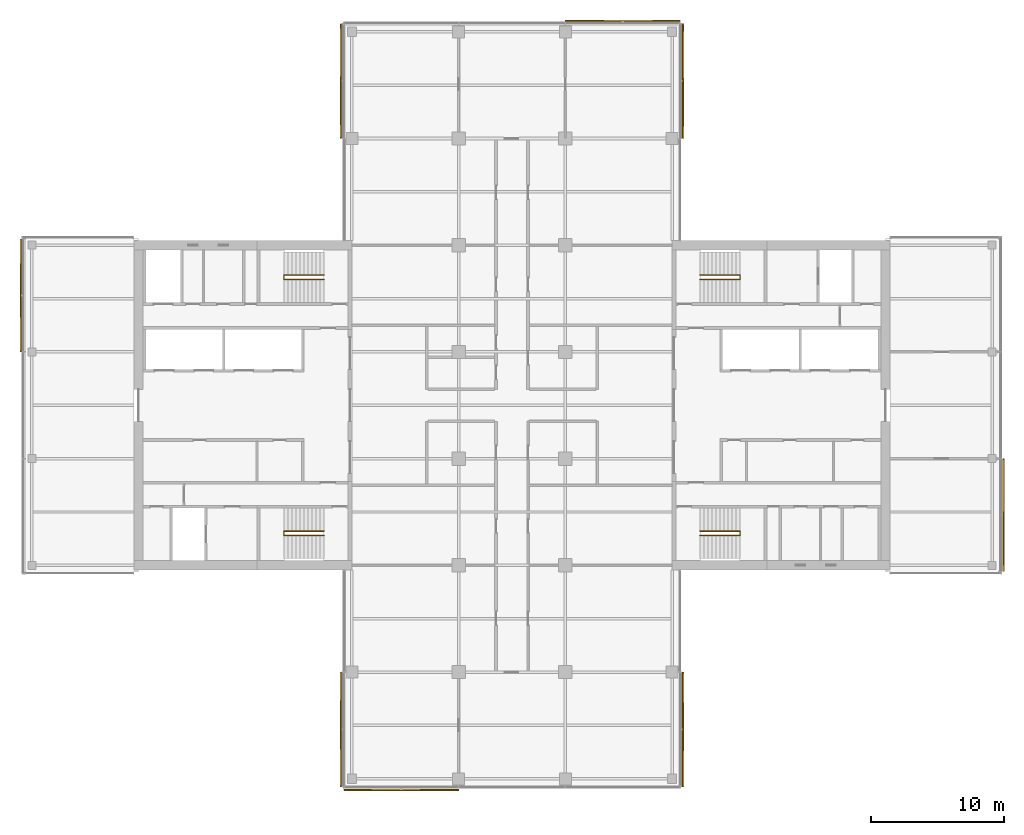
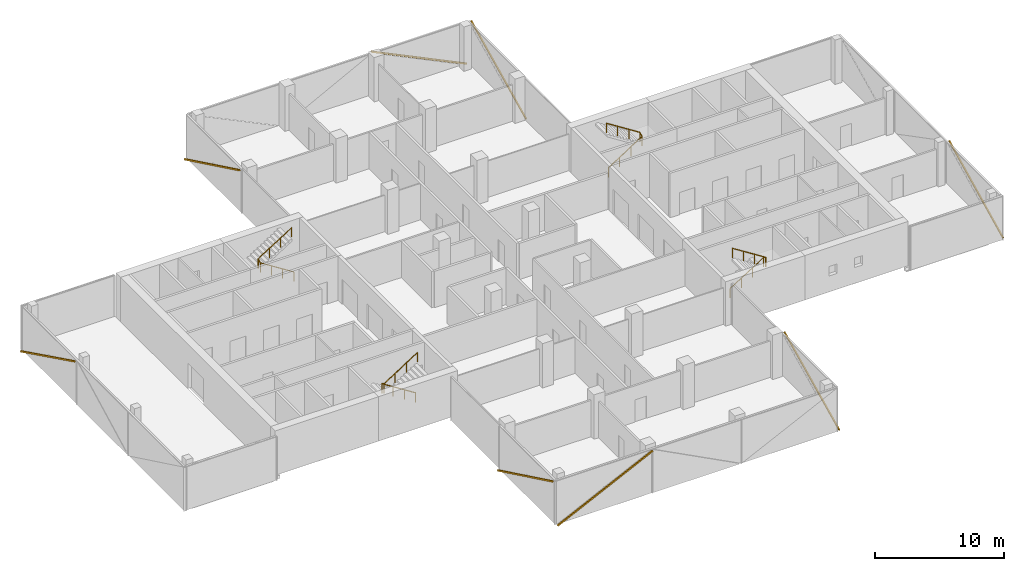
# One storey, part 22 of 22: 8 shading devices, 4 railings, 8 elements without a shape of their own.
"""IFC4 building model written with IfcOpenShell, lengths in metres."""

import ifcopenshell
import ifcopenshell.guid

model = None  # the IFC model being written
_history = None  # IfcOwnerHistory: only IFC2X3 demands one
_inside = {}  # id of a spatial element -> (the spatial element, [elements in it])
_under = {}  # id of a project, library or spatial element -> (it, [spatial elements below it])
_declared = {}  # id of a project -> (the project, [libraries it declares])
_typed = {}  # id of a type object -> (the type object, [elements of that type])
_made_of = {}  # id of a material, layer set ... -> (it, [elements and type objects made of it])


def new_model(schema):
    """Start an empty IFC model of exactly this schema.

    Asked for "IFC4X3", IfcOpenShell would pick the latest addendum, in which some entities
    have other attributes; the version numbers below select the first issue.
    IFC2X3 requires an IfcOwnerHistory on every rooted entity: one is made here for all.
    """
    global model, _history
    if schema == "IFC4X3":
        model = ifcopenshell.file(schema_version=(4, 3, 0, 0))
    else:
        model = ifcopenshell.file(schema=schema)
    _inside.clear()
    _under.clear()
    _declared.clear()
    _typed.clear()
    _made_of.clear()
    _history = None
    if model.schema == "IFC2X3":
        org = make("IfcOrganization", Name="unknown")
        user = make(
            "IfcPersonAndOrganization",
            ThePerson=make("IfcPerson", FamilyName="unknown"),
            TheOrganization=org,
        )
        app = make(
            "IfcApplication",
            ApplicationDeveloper=org,
            Version="unknown",
            ApplicationFullName="unknown",
            ApplicationIdentifier="unknown",
        )
        _history = make(
            "IfcOwnerHistory",
            OwningUser=user,
            OwningApplication=app,
            ChangeAction="ADDED",
            CreationDate=0,
        )
    return model


def make(cls, **values):
    """One entity of the class cls with the attributes given. An attribute that is None is left unset."""
    return model.create_entity(
        cls, **{name: value for name, value in values.items() if value is not None}
    )


def rooted(cls, **values):
    """An entity with a GlobalId (a new one), such as an element, a storey or a relation."""
    return make(cls, GlobalId=ifcopenshell.guid.new(), OwnerHistory=_history, **values)


def si_unit(unit_type, name, prefix=None):
    """IfcSIUnit, for example si_unit("LENGTHUNIT", "METRE", prefix="MILLI")."""
    return make("IfcSIUnit", UnitType=unit_type, Prefix=prefix, Name=name)


def assignment(units):
    """IfcUnitAssignment: the units of a project."""
    return None if units is None else make("IfcUnitAssignment", Units=units)


def point(xyz):
    """IfcCartesianPoint."""
    return None if xyz is None else make("IfcCartesianPoint", Coordinates=xyz)


def direction(xyz):
    """IfcDirection."""
    return None if xyz is None else make("IfcDirection", DirectionRatios=xyz)


def frame(location, z_axis=None, x_axis=None):
    """IfcAxis2Placement3D, a coordinate frame: its origin and axes. An axis left out is left unset."""
    return make(
        "IfcAxis2Placement3D",
        Location=point(location),
        Axis=direction(z_axis),
        RefDirection=direction(x_axis),
    )


def frame_2d(location, x_axis=None):
    """IfcAxis2Placement2D, a coordinate frame in the plane: its origin and x axis."""
    return make(
        "IfcAxis2Placement2D", Location=point(location), RefDirection=direction(x_axis)
    )


def origin():
    """The frame at (0, 0, 0) with its axes left unset."""
    return frame((0.0, 0.0, 0.0))


def origin_2d():
    """The frame at (0, 0) in the plane with its x axis left unset."""
    return frame_2d((0.0, 0.0))


def place(relative_to, where):
    """IfcLocalPlacement: puts the frame where relative to a parent placement (None: the world)."""
    return make(
        "IfcLocalPlacement", PlacementRelTo=relative_to, RelativePlacement=where
    )


def context(
    kind, dimensions, precision=None, world=None, true_north=None, identifier=None
):
    """IfcGeometricRepresentationContext, for example the 3D "Model" context."""
    return make(
        "IfcGeometricRepresentationContext",
        ContextIdentifier=identifier,
        ContextType=kind,
        CoordinateSpaceDimension=dimensions,
        Precision=precision,
        WorldCoordinateSystem=world,
        TrueNorth=true_north,
    )


def subcontext(parent, identifier, kind, view, scale=None):
    """IfcGeometricRepresentationSubContext, for example "Body" below "Model"."""
    return make(
        "IfcGeometricRepresentationSubContext",
        ContextIdentifier=identifier,
        ContextType=kind,
        ParentContext=parent,
        TargetScale=scale,
        TargetView=view,
    )


def project(units=None, contexts=None):
    """IfcProject with its units and contexts."""
    return rooted(
        "IfcProject",
        Name="project",
        RepresentationContexts=contexts,
        UnitsInContext=assignment(units),
    )


def spatial(cls, under=None, at=None, **own):
    """A site, building, storey or space (cls), placed at a placement, below another one or the project."""
    s = rooted(cls, ObjectPlacement=at, **own)
    if under is not None:
        _under.setdefault(under.id(), (under, []))[1].append(s)
    return s


def profile(cls, at=None, kind="AREA", **sizes):
    """A parametric profile (cls). Its sizes go by their IFC names, for example OverallWidth=200.0."""
    return make(cls, ProfileType=kind, Position=at, **sizes)


def rectangle(**sizes):
    """IfcRectangleProfileDef."""
    return profile("IfcRectangleProfileDef", **sizes)


def circle(**sizes):
    """IfcCircleProfileDef."""
    return profile("IfcCircleProfileDef", **sizes)


def extrude(swept, where, along, depth):
    """IfcExtrudedAreaSolid: the profile swept, set in the frame where, extruded along a direction by depth."""
    return make(
        "IfcExtrudedAreaSolid",
        SweptArea=swept,
        Position=where,
        ExtrudedDirection=direction(along),
        Depth=depth,
    )


def shape(context_of_items, identifier, shape_type, items):
    """IfcShapeRepresentation: the items that make up one representation, for example the "Body"."""
    return make(
        "IfcShapeRepresentation",
        ContextOfItems=context_of_items,
        RepresentationIdentifier=identifier,
        RepresentationType=shape_type,
        Items=items,
    )


def material(Name=None, Category=None):
    """IfcMaterial."""
    return make("IfcMaterial", Name=Name, Category=Category)


def material_profile(
    of_material, cross_section, Name=None, Category=None, Priority=None
):
    """IfcMaterialProfile: a cross section and its material."""
    return make(
        "IfcMaterialProfile",
        Name=Name,
        Material=of_material,
        Profile=cross_section,
        Priority=Priority,
        Category=Category,
    )


def profile_set(profiles, Name=None, composite=None):
    """IfcMaterialProfileSet."""
    return make(
        "IfcMaterialProfileSet",
        Name=Name,
        MaterialProfiles=profiles,
        CompositeProfile=composite,
    )


def made_of(thing, what):
    """Note that an element or type object is made of a material, layer set ...; save() writes the relation."""
    if what is not None:
        _made_of.setdefault(what.id(), (what, []))[1].append(thing)
    return thing


def type_object(cls, material=None, **own):
    """A type object (cls), such as IfcWallType, which elements share."""
    return made_of(rooted(cls, **own), material)


def element(
    cls,
    number,
    at=None,
    inside=None,
    cuts=None,
    type_object=None,
    material=None,
    context=None,
    identifier="Body",
    shape_type=None,
    held_by="IfcProductDefinitionShape",
    body=None,
    shapes=None,
    **own,
):
    """One element of the class cls, such as IfcWall. Its Tag is "e" and its number.

    at: its placement. inside: the storey or other place that contains it. cuts: it is an
    opening in that element (IfcRelVoidsElement). A single representation is given by context,
    identifier, shape_type and body (its items); several are given by shapes. held_by: the class
    of the entity that holds the representations. save() writes the other relations.
    """
    e = rooted(cls, Tag="e%d" % number, ObjectPlacement=at, **own)
    if body is not None:
        shapes = [shape(context, identifier, shape_type, body)]
    if shapes is not None:
        e.Representation = make(held_by, Representations=shapes)
    if inside is not None:
        _inside.setdefault(inside.id(), (inside, []))[1].append(e)
    if cuts is not None:
        rooted(
            "IfcRelVoidsElement", RelatingBuildingElement=cuts, RelatedOpeningElement=e
        )
    if type_object is not None:
        _typed.setdefault(type_object.id(), (type_object, []))[1].append(e)
    return made_of(e, material)


def aggregate(whole, parts):
    """IfcRelAggregates: a whole, such as a stair, and the parts it consists of."""
    return rooted("IfcRelAggregates", RelatingObject=whole, RelatedObjects=parts)


def save(model, path):
    """Write the relations noted so far, then the file.

    IfcRelAggregates (storeys below a building ...), IfcRelContainedInSpatialStructure (elements
    in a storey), IfcRelDefinesByType, IfcRelAssociatesMaterial and IfcRelDeclares: one each for
    every whole, place, type object, material and project.
    """
    for whole, parts in _under.values():
        aggregate(whole, parts)
    for where, things in _inside.values():
        rooted(
            "IfcRelContainedInSpatialStructure",
            RelatedElements=things,
            RelatingStructure=where,
        )
    for kind, things in _typed.values():
        rooted("IfcRelDefinesByType", RelatedObjects=things, RelatingType=kind)
    for what, things in _made_of.values():
        rooted("IfcRelAssociatesMaterial", RelatedObjects=things, RelatingMaterial=what)
    for by, libraries in _declared.values():
        rooted("IfcRelDeclares", RelatingContext=by, RelatedDefinitions=libraries)
    model.write(path)


model = new_model("IFC4")

# Units and contexts
model_context = context("Model", 3, precision=1e-05, world=origin(), true_north=direction((0.0, 1.0)))
body_context = subcontext(model_context, "Body", "Model", "MODEL_VIEW")
ifc_project = project(units=[si_unit("LENGTHUNIT", "METRE"), si_unit("AREAUNIT", "SQUARE_METRE"), si_unit("VOLUMEUNIT", "CUBIC_METRE"), si_unit("PLANEANGLEUNIT", "RADIAN"), si_unit("MASSUNIT", "GRAM", prefix="KILO")], contexts=[model_context])

# Site, building, storey
site_placement = place(None, origin())
site = spatial("IfcSite", under=ifc_project, at=site_placement, CompositionType="ELEMENT")
building_placement = place(site_placement, origin())
building = spatial("IfcBuilding", under=site, at=building_placement, Name="Crosswind Convention Tower", CompositionType="ELEMENT")
storey_placement = place(building_placement, frame((0.0, 0.0, 137.89990234375)))
storey = spatial("IfcBuildingStorey", under=building, at=storey_placement, Name="L28", CompositionType="ELEMENT", Elevation=137.89990234375)

# Railings
ifc_material_1 = material(Name="Stainless steel", Category="steel")
railing_type = type_object("IfcRailingType", Name="Stair handrail 900", PredefinedType="HANDRAIL", material=ifc_material_1)
railing_1_placement = place(storey_placement, frame((139.10009765625, 109.43994140625, 0.19091796875)))
element("IfcRailing", 1, at=railing_1_placement, inside=storey, type_object=railing_type, Name="Stair ST1 handrail L28", PredefinedType="HANDRAIL", context=body_context, shape_type="SweptSolid", body=[
    extrude(circle(Radius=0.02392578125, at=origin_2d()), frame((0.0, 0.0, 0.8759765625), z_axis=(0.843650179428, 0.0, 0.536893261973), x_axis=(0.0, 1.0, 0.0)), (0.0, 0.0, 1.0), 3.555908203125),
    extrude(circle(Radius=0.02392578125, at=origin_2d()), frame((3.0, 0.0, 2.78515625), z_axis=(0.0, 0.858819504967, 0.512278301208), x_axis=(-1.0, 0.0, 0.0)), (0.0, 0.0, 1.0), 0.372802734375),
    extrude(circle(Radius=0.02392578125, at=origin_2d()), frame((3.0, 0.320068359375, 2.97607421875), z_axis=(-0.843650179428, 0.0, 0.536893261973), x_axis=(0.0, -1.0, 0.0)), (0.0, 0.0, 1.0), 3.555908203125),
    extrude(circle(Radius=0.02099609375, at=origin_2d()), origin(), (0.0, 0.0, 1.0), 0.851806640625),
    extrude(circle(Radius=0.02099609375, at=origin_2d()), frame((1.0, 0.0, 0.636474609375)), (0.0, 0.0, 1.0), 0.851806640625),
    extrude(circle(Radius=0.02099609375, at=origin_2d()), frame((2.0, 0.0, 1.272705078125)), (0.0, 0.0, 1.0), 0.851806640625),
    extrude(circle(Radius=0.02099609375, at=origin_2d()), frame((3.0, 0.0, 1.9091796875)), (0.0, 0.0, 1.0), 0.851806640625),
    extrude(circle(Radius=0.02099609375, at=origin_2d()), frame((3.0, 0.320068359375, 2.10009765625)), (0.0, 0.0, 1.0), 0.851806640625),
    extrude(circle(Radius=0.02099609375, at=origin_2d()), frame((2.0, 0.320068359375, 2.736572265625)), (0.0, 0.0, 1.0), 0.851806640625),
    extrude(circle(Radius=0.02099609375, at=origin_2d()), frame((1.0, 0.320068359375, 3.372802734375)), (0.0, 0.0, 1.0), 0.851806640625),
    extrude(circle(Radius=0.02099609375, at=origin_2d()), frame((0.0, 0.320068359375, 4.00927734375)), (0.0, 0.0, 1.0), 0.851806640625),
])
railing_2_placement = place(storey_placement, frame((139.10009765625, 90.56005859375, 0.19091796875)))
element("IfcRailing", 2, at=railing_2_placement, inside=storey, type_object=railing_type, Name="Stair ST2 handrail L28", PredefinedType="HANDRAIL", context=body_context, shape_type="SweptSolid", body=[
    extrude(circle(Radius=0.02392578125, at=origin_2d()), frame((0.0, 0.0, 0.8759765625), z_axis=(0.843650179428, 0.0, 0.536893261973), x_axis=(0.0, 1.0, 0.0)), (0.0, 0.0, 1.0), 3.555908203125),
    extrude(circle(Radius=0.02392578125, at=origin_2d()), frame((3.0, 0.0, 2.78515625), z_axis=(0.0, -0.858819504967, 0.512278301208), x_axis=(1.0, 0.0, 0.0)), (0.0, 0.0, 1.0), 0.372802734375),
    extrude(circle(Radius=0.02392578125, at=origin_2d()), frame((3.0, -0.320068359375, 2.97607421875), z_axis=(-0.843650179428, 0.0, 0.536893261973), x_axis=(0.0, -1.0, 0.0)), (0.0, 0.0, 1.0), 3.555908203125),
    extrude(circle(Radius=0.02099609375, at=origin_2d()), origin(), (0.0, 0.0, 1.0), 0.851806640625),
    extrude(circle(Radius=0.02099609375, at=origin_2d()), frame((1.0, 0.0, 0.636474609375)), (0.0, 0.0, 1.0), 0.851806640625),
    extrude(circle(Radius=0.02099609375, at=origin_2d()), frame((2.0, 0.0, 1.272705078125)), (0.0, 0.0, 1.0), 0.851806640625),
    extrude(circle(Radius=0.02099609375, at=origin_2d()), frame((3.0, 0.0, 1.9091796875)), (0.0, 0.0, 1.0), 0.851806640625),
    extrude(circle(Radius=0.02099609375, at=origin_2d()), frame((3.0, -0.320068359375, 2.10009765625)), (0.0, 0.0, 1.0), 0.851806640625),
    extrude(circle(Radius=0.02099609375, at=origin_2d()), frame((2.0, -0.320068359375, 2.736572265625)), (0.0, 0.0, 1.0), 0.851806640625),
    extrude(circle(Radius=0.02099609375, at=origin_2d()), frame((1.0, -0.320068359375, 3.372802734375)), (0.0, 0.0, 1.0), 0.851806640625),
    extrude(circle(Radius=0.02099609375, at=origin_2d()), frame((0.0, -0.320068359375, 4.00927734375)), (0.0, 0.0, 1.0), 0.851806640625),
])
railing_3_placement = place(storey_placement, frame((110.89990234375, 90.56005859375, 0.19091796875)))
element("IfcRailing", 3, at=railing_3_placement, inside=storey, type_object=railing_type, Name="Stair ST3 handrail L28", PredefinedType="HANDRAIL", context=body_context, shape_type="SweptSolid", body=[
    extrude(circle(Radius=0.02392578125, at=origin_2d()), frame((0.0, 0.0, 0.8759765625), z_axis=(-0.843650179428, 0.0, 0.536893261973), x_axis=(0.0, -1.0, 0.0)), (0.0, 0.0, 1.0), 3.555908203125),
    extrude(circle(Radius=0.02392578125, at=origin_2d()), frame((-3.0, 0.0, 2.78515625), z_axis=(0.0, -0.858819504967, 0.512278301208), x_axis=(1.0, 0.0, 0.0)), (0.0, 0.0, 1.0), 0.372802734375),
    extrude(circle(Radius=0.02392578125, at=origin_2d()), frame((-3.0, -0.320068359375, 2.97607421875), z_axis=(0.843650179428, 0.0, 0.536893261973), x_axis=(0.0, 1.0, 0.0)), (0.0, 0.0, 1.0), 3.555908203125),
    extrude(circle(Radius=0.02099609375, at=origin_2d()), origin(), (0.0, 0.0, 1.0), 0.851806640625),
    extrude(circle(Radius=0.02099609375, at=origin_2d()), frame((-1.0, 0.0, 0.636474609375)), (0.0, 0.0, 1.0), 0.851806640625),
    extrude(circle(Radius=0.02099609375, at=origin_2d()), frame((-2.0, 0.0, 1.272705078125)), (0.0, 0.0, 1.0), 0.851806640625),
    extrude(circle(Radius=0.02099609375, at=origin_2d()), frame((-3.0, 0.0, 1.9091796875)), (0.0, 0.0, 1.0), 0.851806640625),
    extrude(circle(Radius=0.02099609375, at=origin_2d()), frame((-3.0, -0.320068359375, 2.10009765625)), (0.0, 0.0, 1.0), 0.851806640625),
    extrude(circle(Radius=0.02099609375, at=origin_2d()), frame((-2.0, -0.320068359375, 2.736572265625)), (0.0, 0.0, 1.0), 0.851806640625),
    extrude(circle(Radius=0.02099609375, at=origin_2d()), frame((-1.0, -0.320068359375, 3.372802734375)), (0.0, 0.0, 1.0), 0.851806640625),
    extrude(circle(Radius=0.02099609375, at=origin_2d()), frame((0.0, -0.320068359375, 4.00927734375)), (0.0, 0.0, 1.0), 0.851806640625),
])
railing_4_placement = place(storey_placement, frame((110.89990234375, 109.43994140625, 0.19091796875)))
element("IfcRailing", 4, at=railing_4_placement, inside=storey, type_object=railing_type, Name="Stair ST4 handrail L28", PredefinedType="HANDRAIL", context=body_context, shape_type="SweptSolid", body=[
    extrude(circle(Radius=0.02392578125, at=origin_2d()), frame((0.0, 0.0, 0.8759765625), z_axis=(-0.843650179428, 0.0, 0.536893261973), x_axis=(0.0, -1.0, 0.0)), (0.0, 0.0, 1.0), 3.555908203125),
    extrude(circle(Radius=0.02392578125, at=origin_2d()), frame((-3.0, 0.0, 2.78515625), z_axis=(0.0, 0.858819504967, 0.512278301208), x_axis=(-1.0, 0.0, 0.0)), (0.0, 0.0, 1.0), 0.372802734375),
    extrude(circle(Radius=0.02392578125, at=origin_2d()), frame((-3.0, 0.320068359375, 2.97607421875), z_axis=(0.843650179428, 0.0, 0.536893261973), x_axis=(0.0, 1.0, 0.0)), (0.0, 0.0, 1.0), 3.555908203125),
    extrude(circle(Radius=0.02099609375, at=origin_2d()), origin(), (0.0, 0.0, 1.0), 0.851806640625),
    extrude(circle(Radius=0.02099609375, at=origin_2d()), frame((-1.0, 0.0, 0.636474609375)), (0.0, 0.0, 1.0), 0.851806640625),
    extrude(circle(Radius=0.02099609375, at=origin_2d()), frame((-2.0, 0.0, 1.272705078125)), (0.0, 0.0, 1.0), 0.851806640625),
    extrude(circle(Radius=0.02099609375, at=origin_2d()), frame((-3.0, 0.0, 1.9091796875)), (0.0, 0.0, 1.0), 0.851806640625),
    extrude(circle(Radius=0.02099609375, at=origin_2d()), frame((-3.0, 0.320068359375, 2.10009765625)), (0.0, 0.0, 1.0), 0.851806640625),
    extrude(circle(Radius=0.02099609375, at=origin_2d()), frame((-2.0, 0.320068359375, 2.736572265625)), (0.0, 0.0, 1.0), 0.851806640625),
    extrude(circle(Radius=0.02099609375, at=origin_2d()), frame((-1.0, 0.320068359375, 3.372802734375)), (0.0, 0.0, 1.0), 0.851806640625),
    extrude(circle(Radius=0.02099609375, at=origin_2d()), frame((0.0, 0.320068359375, 4.00927734375)), (0.0, 0.0, 1.0), 0.851806640625),
])

# Curtain wall, shading device
ifc_material_2 = material(Name="Aluminium unitised curtain wall", Category="aluminium")
curtain_wall_type = type_object("IfcCurtainWallType", Name="OFFICE UNITISED WALL 220", PredefinedType="USERDEFINED", material=ifc_material_2)
curtain_wall_1_placement = place(storey_placement, origin())
curtain_wall_1 = element("IfcCurtainWall", 5, at=curtain_wall_1_placement, inside=storey, type_object=curtain_wall_type, Name="CW3 L28 E-TIP 1", ObjectType="UNITISED", PredefinedType="USERDEFINED")
ifc_material_3 = material(Name="Extruded terracotta", Category="masonry")
ifc_material_profile = material_profile(ifc_material_3, rectangle(XDim=0.110107421875, YDim=0.1298828125, at=origin_2d()), Name="TC 110X130")
ifc_profile_set = profile_set([ifc_material_profile], Name="Extruded terracotta")
shading_device_type = type_object("IfcShadingDeviceType", Name="TERRACOTTA BAGUETTE 130X110", PredefinedType="USERDEFINED", material=ifc_profile_set)
shading_device_1_placement = place(storey_placement, frame((161.8310546875, 87.570068359375, -0.2998046875), z_axis=(0.0, 0.897299814718, 0.44142161536), x_axis=(-1.0, 0.0, 0.0)))
shading_device_1 = element("IfcShadingDevice", 6, at=shading_device_1_placement, type_object=shading_device_type, Name="CW3 terracotta baguette 1", ObjectType="BAGUETTE", PredefinedType="USERDEFINED", context=body_context, shape_type="SweptSolid", body=[
    extrude(rectangle(XDim=0.110107421875, YDim=0.1298828125, at=origin_2d()), origin(), (0.0, 0.0, 1.0), 9.35595703125),
])
aggregate(curtain_wall_1, [shading_device_1])

curtain_wall_2_placement = place(storey_placement, origin())
curtain_wall_2 = element("IfcCurtainWall", 7, at=curtain_wall_2_placement, inside=storey, type_object=curtain_wall_type, Name="CW3 L28 N-E 1", ObjectType="UNITISED", PredefinedType="USERDEFINED")
shading_device_2_placement = place(storey_placement, frame((137.8310546875, 120.034912109375, -0.2998046875), z_axis=(0.0, 0.900258180835, 0.435356414723), x_axis=(-1.0, 0.0, 0.0)))
shading_device_2 = element("IfcShadingDevice", 8, at=shading_device_2_placement, type_object=shading_device_type, Name="CW3 terracotta baguette 1", ObjectType="BAGUETTE", PredefinedType="USERDEFINED", context=body_context, shape_type="SweptSolid", body=[
    extrude(rectangle(XDim=0.110107421875, YDim=0.1298828125, at=origin_2d()), origin(), (0.0, 0.0, 1.0), 9.486328125),
])
aggregate(curtain_wall_2, [shading_device_2])

curtain_wall_3_placement = place(storey_placement, origin())
curtain_wall_3 = element("IfcCurtainWall", 9, at=curtain_wall_3_placement, inside=storey, type_object=curtain_wall_type, Name="CW3 L28 N-TIP 1", ObjectType="UNITISED", PredefinedType="USERDEFINED")
shading_device_3_placement = place(storey_placement, frame((137.574951171875, 128.8310546875, -0.2998046875), z_axis=(-0.900258180835, 0.0, 0.435356414723), x_axis=(0.0, -1.0, 0.0)))
shading_device_3 = element("IfcShadingDevice", 10, at=shading_device_3_placement, type_object=shading_device_type, Name="CW3 terracotta baguette 1", ObjectType="BAGUETTE", PredefinedType="USERDEFINED", context=body_context, shape_type="SweptSolid", body=[
    extrude(rectangle(XDim=0.110107421875, YDim=0.1298828125, at=origin_2d()), origin(), (0.0, 0.0, 1.0), 9.486328125),
])
aggregate(curtain_wall_3, [shading_device_3])

curtain_wall_4_placement = place(storey_placement, origin())
curtain_wall_4 = element("IfcCurtainWall", 11, at=curtain_wall_4_placement, inside=storey, type_object=curtain_wall_type, Name="CW3 L28 N-W 1", ObjectType="UNITISED", PredefinedType="USERDEFINED")
shading_device_4_placement = place(storey_placement, frame((112.1689453125, 128.574951171875, -0.2998046875), z_axis=(0.0, -0.900258180835, 0.435356414723), x_axis=(1.0, 0.0, 0.0)))
shading_device_4 = element("IfcShadingDevice", 12, at=shading_device_4_placement, type_object=shading_device_type, Name="CW3 terracotta baguette 1", ObjectType="BAGUETTE", PredefinedType="USERDEFINED", context=body_context, shape_type="SweptSolid", body=[
    extrude(rectangle(XDim=0.110107421875, YDim=0.1298828125, at=origin_2d()), origin(), (0.0, 0.0, 1.0), 9.486328125),
])
aggregate(curtain_wall_4, [shading_device_4])

curtain_wall_5_placement = place(storey_placement, origin())
curtain_wall_5 = element("IfcCurtainWall", 13, at=curtain_wall_5_placement, inside=storey, type_object=curtain_wall_type, Name="CW3 L28 W-TIP 1", ObjectType="UNITISED", PredefinedType="USERDEFINED")
shading_device_5_placement = place(storey_placement, frame((88.1689453125, 112.429931640625, -0.2998046875), z_axis=(0.0, -0.897299814718, 0.44142161536), x_axis=(1.0, 0.0, 0.0)))
shading_device_5 = element("IfcShadingDevice", 14, at=shading_device_5_placement, type_object=shading_device_type, Name="CW3 terracotta baguette 1", ObjectType="BAGUETTE", PredefinedType="USERDEFINED", context=body_context, shape_type="SweptSolid", body=[
    extrude(rectangle(XDim=0.110107421875, YDim=0.1298828125, at=origin_2d()), origin(), (0.0, 0.0, 1.0), 9.35595703125),
])
aggregate(curtain_wall_5, [shading_device_5])

curtain_wall_6_placement = place(storey_placement, origin())
curtain_wall_6 = element("IfcCurtainWall", 15, at=curtain_wall_6_placement, inside=storey, type_object=curtain_wall_type, Name="CW3 L28 S-W 1", ObjectType="UNITISED", PredefinedType="USERDEFINED")
shading_device_6_placement = place(storey_placement, frame((112.1689453125, 79.965087890625, -0.2998046875), z_axis=(0.0, -0.900258180835, 0.435356414723), x_axis=(1.0, 0.0, 0.0)))
shading_device_6 = element("IfcShadingDevice", 16, at=shading_device_6_placement, type_object=shading_device_type, Name="CW3 terracotta baguette 1", ObjectType="BAGUETTE", PredefinedType="USERDEFINED", context=body_context, shape_type="SweptSolid", body=[
    extrude(rectangle(XDim=0.110107421875, YDim=0.1298828125, at=origin_2d()), origin(), (0.0, 0.0, 1.0), 9.486328125),
])
aggregate(curtain_wall_6, [shading_device_6])

curtain_wall_7_placement = place(storey_placement, origin())
curtain_wall_7 = element("IfcCurtainWall", 17, at=curtain_wall_7_placement, inside=storey, type_object=curtain_wall_type, Name="CW3 L28 S-TIP 1", ObjectType="UNITISED", PredefinedType="USERDEFINED")
shading_device_7_placement = place(storey_placement, frame((112.425048828125, 71.1689453125, -0.2998046875), z_axis=(0.900258180835, 0.0, 0.435356414723), x_axis=(0.0, 1.0, 0.0)))
shading_device_7 = element("IfcShadingDevice", 18, at=shading_device_7_placement, type_object=shading_device_type, Name="CW3 terracotta baguette 1", ObjectType="BAGUETTE", PredefinedType="USERDEFINED", context=body_context, shape_type="SweptSolid", body=[
    extrude(rectangle(XDim=0.110107421875, YDim=0.1298828125, at=origin_2d()), origin(), (0.0, 0.0, 1.0), 9.486328125),
])
aggregate(curtain_wall_7, [shading_device_7])

curtain_wall_8_placement = place(storey_placement, origin())
curtain_wall_8 = element("IfcCurtainWall", 19, at=curtain_wall_8_placement, inside=storey, type_object=curtain_wall_type, Name="CW3 L28 S-E 1", ObjectType="UNITISED", PredefinedType="USERDEFINED")
shading_device_8_placement = place(storey_placement, frame((137.8310546875, 71.425048828125, -0.2998046875), z_axis=(0.0, 0.900258180835, 0.435356414723), x_axis=(-1.0, 0.0, 0.0)))
shading_device_8 = element("IfcShadingDevice", 20, at=shading_device_8_placement, type_object=shading_device_type, Name="CW3 terracotta baguette 1", ObjectType="BAGUETTE", PredefinedType="USERDEFINED", context=body_context, shape_type="SweptSolid", body=[
    extrude(rectangle(XDim=0.110107421875, YDim=0.1298828125, at=origin_2d()), origin(), (0.0, 0.0, 1.0), 9.486328125),
])
aggregate(curtain_wall_8, [shading_device_8])

save(model, "model.ifc")
